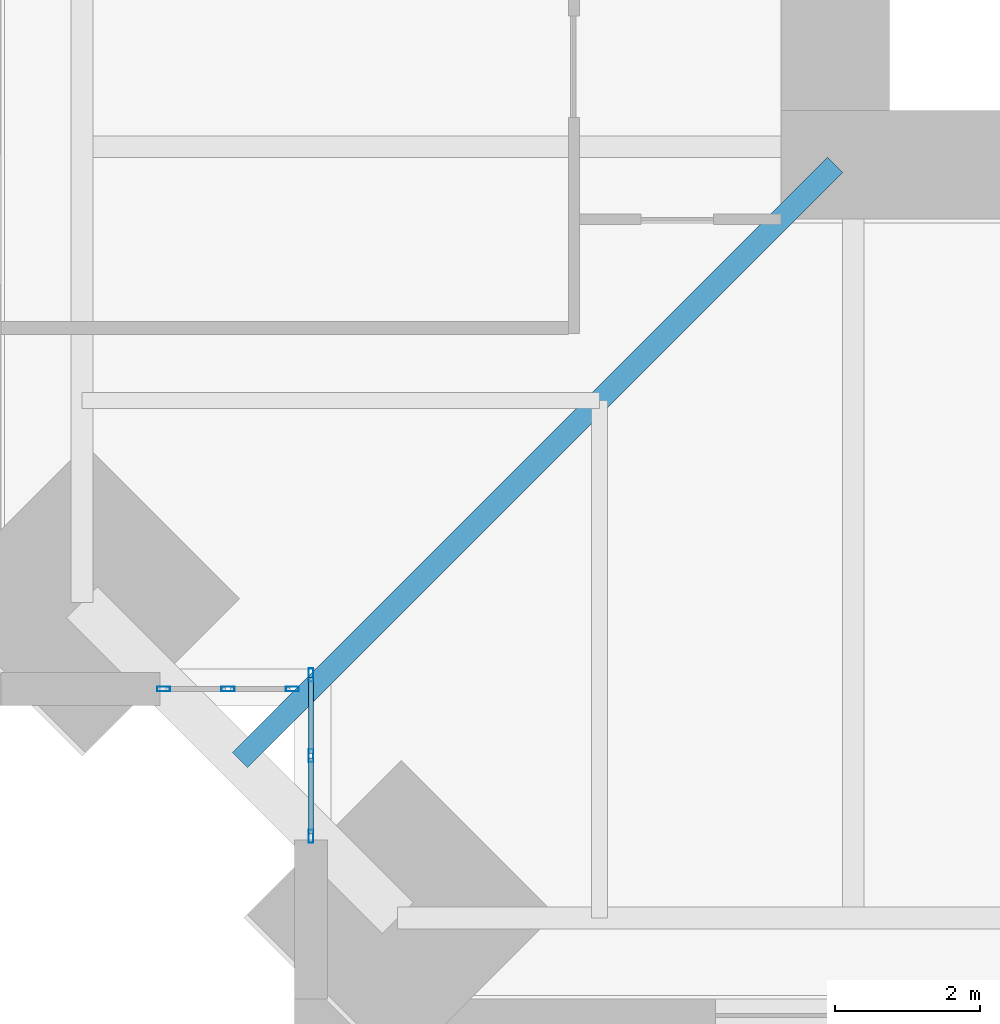
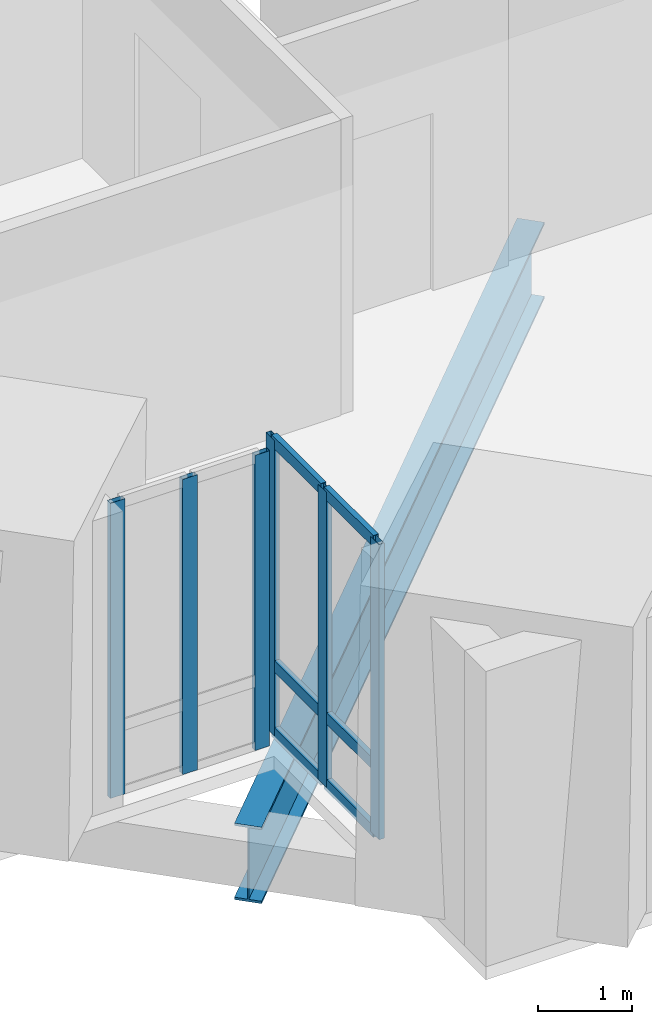
# One storey, part 2 of 15: 12 members, 1 beam, 2 elements without a shape of their own.
"""IFC4 building model written with IfcOpenShell, lengths in metres."""

from ifc_helpers import new_model, si_unit, direction, frame, origin, origin_2d, place, context, subcontext, project, spatial, hollow_rectangle, i_section, extrude, material, material_profile, profile_set, type_object, element, aggregate, save


model = new_model("IFC4")

# Units and contexts
model_context = context("Model", 3, precision=1e-05, world=origin(), true_north=direction((0.0, 1.0)))
body_context = subcontext(model_context, "Body", "Model", "MODEL_VIEW")
ifc_project = project(units=[si_unit("LENGTHUNIT", "METRE"), si_unit("AREAUNIT", "SQUARE_METRE"), si_unit("VOLUMEUNIT", "CUBIC_METRE"), si_unit("PLANEANGLEUNIT", "RADIAN"), si_unit("MASSUNIT", "GRAM", prefix="KILO")], contexts=[model_context])

# Site, building, storey
site_placement = place(None, origin())
site = spatial("IfcSite", under=ifc_project, at=site_placement, CompositionType="ELEMENT")
building_placement = place(site_placement, origin())
building = spatial("IfcBuilding", under=site, at=building_placement, Name="Peilmerk Tower", CompositionType="ELEMENT")
storey_placement = place(building_placement, frame((0.0, 0.0, 229.800048828125)))
storey = spatial("IfcBuildingStorey", under=building, at=storey_placement, Name="L50", CompositionType="ELEMENT", Elevation=229.800048828125)

# Beam
ifc_material_1 = material(Name="Steel S355", Category="steel")
ifc_material_profile_1 = material_profile(ifc_material_1, i_section(OverallWidth=0.300048828125, OverallDepth=0.989990234375, WebThickness=0.0166015625, FlangeThickness=0.031005859375, at=origin_2d()), Name="HEA 1000")
ifc_profile_set_1 = profile_set([ifc_material_profile_1], Name="Steel S355")
beam_type = type_object("IfcBeamType", Name="B14 HEA 1000 floor girder", PredefinedType="BEAM", material=ifc_profile_set_1)
beam_placement = place(storey_placement, frame((-11.25, -11.25, -0.6650390625), z_axis=(-0.707106781187, -0.707106781187, 0.0), x_axis=(0.707106781187, -0.707106781187, 0.0)))
element("IfcBeam", 1, at=beam_placement, inside=storey, type_object=beam_type, Name="Corner girder L50", PredefinedType="BEAM", context=body_context, shape_type="SweptSolid", body=[
    extrude(i_section(OverallWidth=0.300048828125, OverallDepth=0.989990234375, WebThickness=0.0166015625, FlangeThickness=0.031005859375, at=origin_2d()), origin(), (0.0, 0.0, 1.0), 11.6044921875),
])

# Curtain wall, members
ifc_material_2 = material(Name="Aluminium stick curtain wall", Category="aluminium")
curtain_wall_type = type_object("IfcCurtainWallType", Name="CW4 stick curtain wall, 2250 module", PredefinedType="NOTDEFINED", material=ifc_material_2)
curtain_wall_1_placement = place(storey_placement, origin())
curtain_wall_1 = element("IfcCurtainWall", 2, at=curtain_wall_1_placement, inside=storey, type_object=curtain_wall_type, Name="Curtain wall CW4 SWA L50", PredefinedType="NOTDEFINED")
ifc_material_3 = material(Name="Aluminium EN AW-6063 T6", Category="aluminium")
ifc_material_profile_2 = material_profile(ifc_material_3, hollow_rectangle(XDim=0.06494140625, YDim=0.179931640625, WallThickness=0.0029296875, at=origin_2d()), Name="AL 180x65x3")
ifc_profile_set_2 = profile_set([ifc_material_profile_2], Name="Aluminium EN AW-6063 T6")
member_type_1 = type_object("IfcMemberType", Name="CW4-M AL 180x65x3 mullion", PredefinedType="MULLION", material=ifc_profile_set_2)
member_1_placement = place(storey_placement, frame((-18.47509765625, -18.282470703125, 0.0), z_axis=(0.0, 0.0, 1.0), x_axis=(1.0, 0.0, 0.0)))
member_1 = element("IfcMember", 3, at=member_1_placement, type_object=member_type_1, Name="CW4 mullion 1", PredefinedType="MULLION", context=body_context, shape_type="SweptSolid", body=[
    extrude(hollow_rectangle(XDim=0.06494140625, YDim=0.179931640625, WallThickness=0.0029296875, at=origin_2d()), origin(), (0.0, 0.0, 1.0), 3.829833984375),
])
member_2_placement = place(storey_placement, frame((-18.47509765625, -19.394287109375, 0.0), z_axis=(0.0, 0.0, 1.0), x_axis=(1.0, 0.0, 0.0)))
member_2 = element("IfcMember", 4, at=member_2_placement, type_object=member_type_1, Name="CW4 mullion 2", PredefinedType="MULLION", context=body_context, shape_type="SweptSolid", body=[
    extrude(hollow_rectangle(XDim=0.06494140625, YDim=0.179931640625, WallThickness=0.0029296875, at=origin_2d()), origin(), (0.0, 0.0, 1.0), 3.829833984375),
])
member_3_placement = place(storey_placement, frame((-18.47509765625, -20.506103515625, 0.0), z_axis=(0.0, 0.0, 1.0), x_axis=(1.0, 0.0, 0.0)))
member_3 = element("IfcMember", 5, at=member_3_placement, type_object=member_type_1, Name="CW4 mullion 3", PredefinedType="MULLION", context=body_context, shape_type="SweptSolid", body=[
    extrude(hollow_rectangle(XDim=0.06494140625, YDim=0.179931640625, WallThickness=0.0029296875, at=origin_2d()), origin(), (0.0, 0.0, 1.0), 3.829833984375),
])

curtain_wall_2_placement = place(storey_placement, origin())
curtain_wall_2 = element("IfcCurtainWall", 6, at=curtain_wall_2_placement, inside=storey, type_object=curtain_wall_type, Name="Curtain wall CW4 SWB L50", PredefinedType="NOTDEFINED")
member_4_placement = place(storey_placement, frame((-18.732421875, -18.47509765625, 0.0), z_axis=(0.0, 0.0, 1.0), x_axis=(0.0, -1.0, 0.0)))
member_4 = element("IfcMember", 7, at=member_4_placement, type_object=member_type_1, Name="CW4 mullion 1", PredefinedType="MULLION", context=body_context, shape_type="SweptSolid", body=[
    extrude(hollow_rectangle(XDim=0.06494140625, YDim=0.179931640625, WallThickness=0.0029296875, at=origin_2d()), origin(), (0.0, 0.0, 1.0), 3.829833984375),
])
member_5_placement = place(storey_placement, frame((-19.619384765625, -18.47509765625, 0.0), z_axis=(0.0, 0.0, 1.0), x_axis=(0.0, -1.0, 0.0)))
member_5 = element("IfcMember", 8, at=member_5_placement, type_object=member_type_1, Name="CW4 mullion 2", PredefinedType="MULLION", context=body_context, shape_type="SweptSolid", body=[
    extrude(hollow_rectangle(XDim=0.06494140625, YDim=0.179931640625, WallThickness=0.0029296875, at=origin_2d()), origin(), (0.0, 0.0, 1.0), 3.829833984375),
])
member_6_placement = place(storey_placement, frame((-20.506103515625, -18.47509765625, 0.0), z_axis=(0.0, 0.0, 1.0), x_axis=(0.0, -1.0, 0.0)))
member_6 = element("IfcMember", 9, at=member_6_placement, type_object=member_type_1, Name="CW4 mullion 3", PredefinedType="MULLION", context=body_context, shape_type="SweptSolid", body=[
    extrude(hollow_rectangle(XDim=0.06494140625, YDim=0.179931640625, WallThickness=0.0029296875, at=origin_2d()), origin(), (0.0, 0.0, 1.0), 3.829833984375),
])
aggregate(curtain_wall_2, [member_4, member_5, member_6])

# Member
ifc_material_profile_3 = material_profile(ifc_material_3, hollow_rectangle(XDim=0.06494140625, YDim=0.14990234375, WallThickness=0.0029296875, at=origin_2d()), Name="AL 150x65x3")
ifc_profile_set_3 = profile_set([ifc_material_profile_3], Name="Aluminium EN AW-6063 T6")
member_type_2 = type_object("IfcMemberType", Name="CW4-T AL 150x65x3 transom", PredefinedType="USERDEFINED", material=ifc_profile_set_3)
member_7_placement = place(storey_placement, frame((-18.47509765625, -18.31494140625, 0.032470703125), z_axis=(0.0, -1.0, 0.0), x_axis=(1.0, 0.0, 0.0)))
member_7 = element("IfcMember", 10, at=member_7_placement, type_object=member_type_2, Name="CW4 transom 1.1", ObjectType="TRANSOM", PredefinedType="USERDEFINED", context=body_context, shape_type="SweptSolid", body=[
    extrude(hollow_rectangle(XDim=0.06494140625, YDim=0.14990234375, WallThickness=0.0029296875, at=origin_2d()), origin(), (0.0, 0.0, 1.0), 1.046875),
])

member_8_placement = place(storey_placement, frame((-18.47509765625, -18.31494140625, 0.89990234375), z_axis=(0.0, -1.0, 0.0), x_axis=(1.0, 0.0, 0.0)))
member_8 = element("IfcMember", 11, at=member_8_placement, type_object=member_type_2, Name="CW4 transom 1.2", ObjectType="TRANSOM", PredefinedType="USERDEFINED", context=body_context, shape_type="SweptSolid", body=[
    extrude(hollow_rectangle(XDim=0.06494140625, YDim=0.14990234375, WallThickness=0.0029296875, at=origin_2d()), origin(), (0.0, 0.0, 1.0), 1.046875),
])

member_9_placement = place(storey_placement, frame((-18.47509765625, -18.31494140625, 3.79736328125), z_axis=(0.0, -1.0, 0.0), x_axis=(1.0, 0.0, 0.0)))
member_9 = element("IfcMember", 12, at=member_9_placement, type_object=member_type_2, Name="CW4 transom 1.3", ObjectType="TRANSOM", PredefinedType="USERDEFINED", context=body_context, shape_type="SweptSolid", body=[
    extrude(hollow_rectangle(XDim=0.06494140625, YDim=0.14990234375, WallThickness=0.0029296875, at=origin_2d()), origin(), (0.0, 0.0, 1.0), 1.046875),
])

member_10_placement = place(storey_placement, frame((-18.47509765625, -19.4267578125, 0.032470703125), z_axis=(0.0, -1.0, 0.0), x_axis=(1.0, 0.0, 0.0)))
member_10 = element("IfcMember", 13, at=member_10_placement, type_object=member_type_2, Name="CW4 transom 2.1", ObjectType="TRANSOM", PredefinedType="USERDEFINED", context=body_context, shape_type="SweptSolid", body=[
    extrude(hollow_rectangle(XDim=0.06494140625, YDim=0.14990234375, WallThickness=0.0029296875, at=origin_2d()), origin(), (0.0, 0.0, 1.0), 1.046875),
])

member_11_placement = place(storey_placement, frame((-18.47509765625, -19.4267578125, 0.89990234375), z_axis=(0.0, -1.0, 0.0), x_axis=(1.0, 0.0, 0.0)))
member_11 = element("IfcMember", 14, at=member_11_placement, type_object=member_type_2, Name="CW4 transom 2.2", ObjectType="TRANSOM", PredefinedType="USERDEFINED", context=body_context, shape_type="SweptSolid", body=[
    extrude(hollow_rectangle(XDim=0.06494140625, YDim=0.14990234375, WallThickness=0.0029296875, at=origin_2d()), origin(), (0.0, 0.0, 1.0), 1.046875),
])

member_12_placement = place(storey_placement, frame((-18.47509765625, -19.4267578125, 3.79736328125), z_axis=(0.0, -1.0, 0.0), x_axis=(1.0, 0.0, 0.0)))
member_12 = element("IfcMember", 15, at=member_12_placement, type_object=member_type_2, Name="CW4 transom 2.3", ObjectType="TRANSOM", PredefinedType="USERDEFINED", context=body_context, shape_type="SweptSolid", body=[
    extrude(hollow_rectangle(XDim=0.06494140625, YDim=0.14990234375, WallThickness=0.0029296875, at=origin_2d()), origin(), (0.0, 0.0, 1.0), 1.046875),
])

aggregate(curtain_wall_1, [member_1, member_2, member_3, member_7, member_8, member_9, member_10, member_11, member_12])

save(model, "model.ifc")
